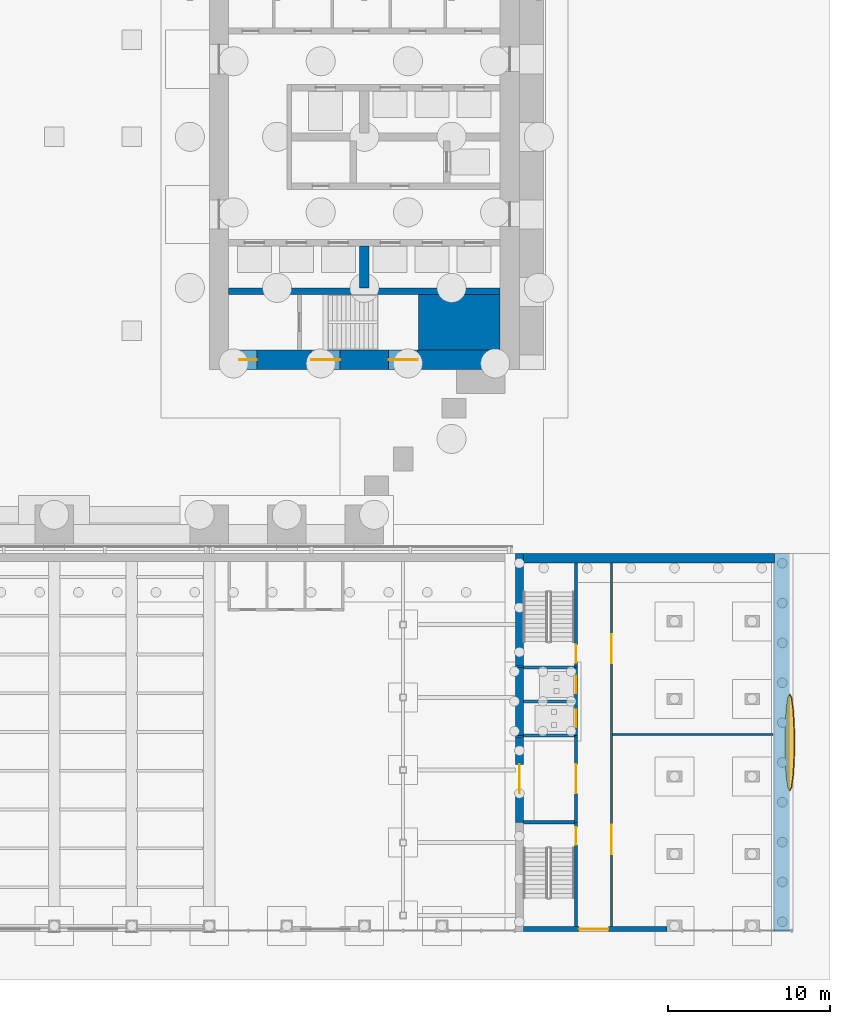
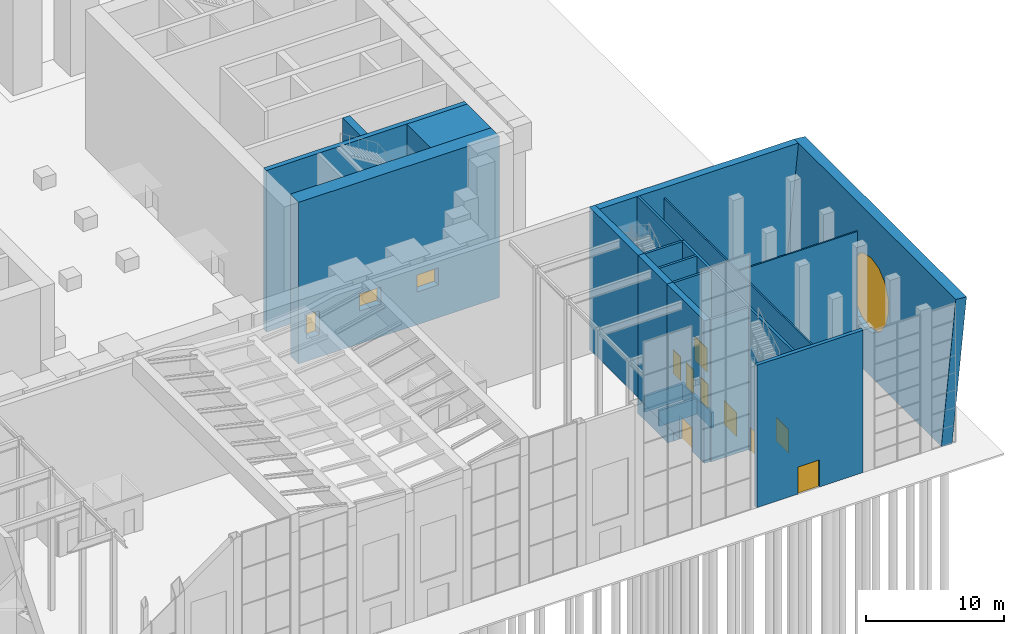
# One storey, part 47 of 58: 25 walls, 10 doors, 3 windows, 13 openings.
"""IFC4 building model written with IfcOpenShell, lengths in metres."""

from ifc_helpers import new_model, si_unit, direction, frame, frame_2d, origin, place, context, subcontext, project, spatial, polyline, rectangle, outline, extrude, material, layer, layer_set, type_object, element, fill, save


model = new_model("IFC4")

# Units and contexts
model_context = context("Model", 3, precision=1e-05, world=origin(), true_north=direction((0.0, 1.0)))
body_context = subcontext(model_context, "Body", "Model", "MODEL_VIEW")
ifc_project = project(units=[si_unit("LENGTHUNIT", "METRE"), si_unit("AREAUNIT", "SQUARE_METRE"), si_unit("VOLUMEUNIT", "CUBIC_METRE"), si_unit("PLANEANGLEUNIT", "RADIAN"), si_unit("MASSUNIT", "GRAM", prefix="KILO")], contexts=[model_context])

# Site, building, storey
site_placement = place(None, origin())
site = spatial("IfcSite", under=ifc_project, at=site_placement, CompositionType="ELEMENT")
building_placement = place(site_placement, origin())
building = spatial("IfcBuilding", under=site, at=building_placement, Name="Baori Bourse Tower", CompositionType="ELEMENT")
storey_placement = place(building_placement, origin())
storey = spatial("IfcBuildingStorey", under=building, at=storey_placement, Name="L00", CompositionType="ELEMENT", Elevation=0.0)

# Wall
ifc_material_1 = material(Name="Concrete f'c 70 MPa", Category="concrete")
wall_type_1 = type_object("IfcWallType", Name="Core corner block f'c 70", PredefinedType="SHEAR", material=ifc_material_1)
wall_1_placement = place(storey_placement, frame((51.35009765625, 12.52490234375, -2.0), z_axis=(0.0, 0.0, 1.0), x_axis=(1.0, 0.0, 0.0)))
element("IfcWall", 1, at=wall_1_placement, inside=storey, type_object=wall_type_1, Name="Core wall E04", PredefinedType="SHEAR", context=body_context, shape_type="SweptSolid", body=[
    extrude(rectangle(XDim=5.0498046875, YDim=3.449951171875, at=frame_2d((2.52490234375, 0.0))), origin(), (0.0, 0.0, 1.0), 14.300048828125),
])

# Wall, openings, door, windows
ifc_material_2 = material(Name="Concrete f'c 70 MPa", Category="concrete")
ifc_layer_1 = layer(ifc_material_2, 1.199951171875)
ifc_layer_set_1 = layer_set([ifc_layer_1], Name="Core wall 1200 f'c 70")
wall_type_2 = type_object("IfcWallType", Name="Core wall 1200 f'c 70", PredefinedType="SHEAR", material=ifc_layer_set_1)
wall_2_placement = place(storey_placement, frame((56.39990234375, 10.199951171875, -2.0), z_axis=(0.0, 0.0, 1.0), x_axis=(-1.0, 0.0, 0.0)))
wall_2 = element("IfcWall", 2, at=wall_2_placement, inside=storey, type_object=wall_type_2, Name="Core wall E02", PredefinedType="SHEAR", context=body_context, shape_type="SweptSolid", body=[
    extrude(rectangle(XDim=16.7998046875, YDim=1.199951171875, at=frame_2d((8.39990234375, 0.0))), origin(), (0.0, 0.0, 1.0), 14.300048828125),
])
opening_1_placement = place(wall_2_placement, frame((15.050048828125, 0.0, 2.0)))
opening_1 = element("IfcOpeningElement", 3, at=opening_1_placement, cuts=wall_2, Name="Opening L00-D202", PredefinedType="OPENING", context=body_context, shape_type="SweptSolid", body=[
    extrude(rectangle(XDim=1.10009765625, YDim=2.10009765625, at=frame_2d((0.550048828125, 1.050048828125))), frame((0.0, 0.60986328125, 0.0), z_axis=(0.0, -1.0, 0.0), x_axis=(1.0, 0.0, 0.0)), (0.0, 0.0, 1.0), 1.219970703125),
])
opening_2_placement = place(wall_2_placement, frame((5.10009765625, 0.0, 2.89990234375)))
opening_2 = element("IfcOpeningElement", 4, at=opening_2_placement, cuts=wall_2, Name="Opening L00-KW203", PredefinedType="OPENING", context=body_context, shape_type="SweptSolid", body=[
    extrude(rectangle(XDim=1.800048828125, YDim=1.5, at=frame_2d((0.89990234375, 0.75))), frame((0.0, 0.60986328125, 0.0), z_axis=(0.0, -1.0, 0.0), x_axis=(1.0, 0.0, 0.0)), (0.0, 0.0, 1.0), 1.219970703125),
])
opening_3_placement = place(wall_2_placement, frame((9.89990234375, 0.0, 2.89990234375)))
opening_3 = element("IfcOpeningElement", 5, at=opening_3_placement, cuts=wall_2, Name="Opening L00-KW204", PredefinedType="OPENING", context=body_context, shape_type="SweptSolid", body=[
    extrude(rectangle(XDim=1.800048828125, YDim=1.5, at=frame_2d((0.89990234375, 0.75))), frame((0.0, 0.60986328125, 0.0), z_axis=(0.0, -1.0, 0.0), x_axis=(1.0, 0.0, 0.0)), (0.0, 0.0, 1.0), 1.219970703125),
])
ifc_material_3 = material(Name="Painted steel door", Category="steel")
door_type_1 = type_object("IfcDoorType", Name="Stair door 1100", OperationType="SINGLE_SWING_LEFT", PredefinedType="DOOR", material=ifc_material_3)
door_1_placement = place(opening_1_placement, origin())
door_1 = element("IfcDoor", 6, at=door_1_placement, inside=storey, type_object=door_type_1, Name="Stair vestibule door A E L00", OperationType="SINGLE_SWING_LEFT", OverallHeight=2.10009765625, OverallWidth=1.10009765625, PredefinedType="DOOR", context=body_context, shape_type="SweptSolid", body=[
    extrude(rectangle(XDim=1.10009765625, YDim=2.10009765625, at=frame_2d((0.550048828125, 1.050048828125))), frame((0.0, 0.02490234375, 0.0), z_axis=(0.0, -1.0, 0.0), x_axis=(1.0, 0.0, 0.0)), (0.0, 0.0, 1.0), 0.050048828125),
])
fill(opening_1, door_1)
ifc_material_4 = material(Name="Pale anodised aluminium", Category="aluminium")
window_type_1 = type_object("IfcWindowType", Name="Stair window 1800 x 1500", PartitioningType="SINGLE_PANEL", PredefinedType="WINDOW", material=ifc_material_4)
window_1_placement = place(opening_2_placement, origin())
window_1 = element("IfcWindow", 7, at=window_1_placement, inside=storey, type_object=window_type_1, Name="Stair window E L00 3", OverallHeight=1.5, OverallWidth=1.800048828125, PartitioningType="SINGLE_PANEL", PredefinedType="WINDOW", context=body_context, shape_type="SweptSolid", body=[
    extrude(rectangle(XDim=1.800048828125, YDim=1.5, at=frame_2d((0.89990234375, 0.75))), frame((0.0, 0.030029296875, 0.0), z_axis=(0.0, -1.0, 0.0), x_axis=(1.0, 0.0, 0.0)), (0.0, 0.0, 1.0), 0.06005859375),
])
fill(opening_2, window_1)
window_2_placement = place(opening_3_placement, origin())
window_2 = element("IfcWindow", 8, at=window_2_placement, inside=storey, type_object=window_type_1, Name="Stair window E L00 4", OverallHeight=1.5, OverallWidth=1.800048828125, PartitioningType="SINGLE_PANEL", PredefinedType="WINDOW", context=body_context, shape_type="SweptSolid", body=[
    extrude(rectangle(XDim=1.800048828125, YDim=1.5, at=frame_2d((0.89990234375, 0.75))), frame((0.0, 0.030029296875, 0.0), z_axis=(0.0, -1.0, 0.0), x_axis=(1.0, 0.0, 0.0)), (0.0, 0.0, 1.0), 0.06005859375),
])
fill(opening_3, window_2)

# Wall, opening, door
ifc_material_5 = material(Name="Concrete f'c 50 MPa", Category="concrete")
ifc_layer_2 = layer(ifc_material_5, 0.300048828125)
ifc_layer_set_2 = layer_set([ifc_layer_2], Name="Entrance wall 300")
wall_type_3 = type_object("IfcWallType", Name="Entrance wall 300", PredefinedType="SOLIDWALL", material=ifc_layer_set_2)
wall_3_placement = place(storey_placement, frame((66.75, -25.050048828125, 0.0), z_axis=(0.0, 0.0, 1.0), x_axis=(-1.0, 0.0, 0.0)))
wall_3 = element("IfcWall", 9, at=wall_3_placement, inside=storey, type_object=wall_type_3, Name="wing/L00/Esouthwall/001", PredefinedType="SOLIDWALL", context=body_context, shape_type="SweptSolid", body=[
    extrude(rectangle(XDim=8.89990234375, YDim=0.300048828125, at=frame_2d((4.449951171875, 0.0))), origin(), (0.0, 0.0, 1.0), 12.60009765625),
])
opening_4_placement = place(wall_3_placement, frame((3.64990234375, 0.0, 0.0)))
opening_4 = element("IfcOpeningElement", 10, at=opening_4_placement, cuts=wall_3, Name="Opening WGE-L00-07", PredefinedType="OPENING", context=body_context, shape_type="SweptSolid", body=[
    extrude(rectangle(XDim=1.800048828125, YDim=2.39990234375, at=frame_2d((0.89990234375, 1.199951171875))), frame((0.0, 0.159912109375, 0.0), z_axis=(0.0, -1.0, 0.0), x_axis=(1.0, 0.0, 0.0)), (0.0, 0.0, 1.0), 0.320068359375),
])
ifc_material_6 = material(Name="Aluminium and glass door", Category="aluminium")
door_type_2 = type_object("IfcDoorType", Name="Entrance door 1800x2400", OperationType="DOUBLE_DOOR_SINGLE_SWING", PredefinedType="DOOR", material=ifc_material_6)
door_2_placement = place(opening_4_placement, origin())
door_2 = element("IfcDoor", 11, at=door_2_placement, inside=storey, type_object=door_type_2, Name="WGE-L00-07", OperationType="DOUBLE_DOOR_SINGLE_SWING", OverallHeight=2.39990234375, OverallWidth=1.800048828125, PredefinedType="DOOR", context=body_context, shape_type="SweptSolid", body=[
    extrude(rectangle(XDim=1.800048828125, YDim=2.39990234375, at=frame_2d((0.89990234375, 1.199951171875))), frame((0.0, 0.02490234375, 0.0), z_axis=(0.0, -1.0, 0.0), x_axis=(1.0, 0.0, 0.0)), (0.0, 0.0, 1.0), 0.050048828125),
])
fill(opening_4, door_2)

# Walls
ifc_material_7 = material(Name="Concrete f'c 50 MPa", Category="concrete")
ifc_layer_3 = layer(ifc_material_7, 0.5)
ifc_layer_set_3 = layer_set([ifc_layer_3], Name="Hall end wall 500")
wall_type_4 = type_object("IfcWallType", Name="Hall end wall 500", PredefinedType="SOLIDWALL", material=ifc_layer_set_3)
wall_4_placement = place(storey_placement, frame((57.60009765625, -1.800048828125, 0.0), z_axis=(0.0, 0.0, 1.0), x_axis=(0.0, -1.0, 0.0)))
element("IfcWall", 12, at=wall_4_placement, inside=storey, type_object=wall_type_4, Name="wing/L00/Ehallwall/001", PredefinedType="SOLIDWALL", context=body_context, shape_type="SweptSolid", body=[
    extrude(rectangle(XDim=7.06005859375, YDim=0.5, at=frame_2d((3.530029296875, 0.0))), origin(), (0.0, 0.0, 1.0), 12.60009765625),
])
wall_5_placement = place(storey_placement, frame((57.60009765625, -8.860107421875, 0.0), z_axis=(0.0, 0.0, 1.0), x_axis=(0.0, -1.0, 0.0)))
element("IfcWall", 13, at=wall_5_placement, inside=storey, type_object=wall_type_4, Name="wing/L00/Ehallwall/002", PredefinedType="SOLIDWALL", context=body_context, shape_type="SweptSolid", body=[
    extrude(rectangle(XDim=4.199951171875, YDim=0.5, at=frame_2d((2.10009765625, 0.0))), origin(), (0.0, 0.0, 1.0), 12.60009765625),
])

# Wall, opening, door
wall_6_placement = place(storey_placement, frame((57.60009765625, -13.06005859375, 0.0), z_axis=(0.0, 0.0, 1.0), x_axis=(0.0, -1.0, 0.0)))
wall_6 = element("IfcWall", 14, at=wall_6_placement, inside=storey, type_object=wall_type_4, Name="wing/L00/Ehallwall/003", PredefinedType="SOLIDWALL", context=body_context, shape_type="SweptSolid", body=[
    extrude(rectangle(XDim=5.3798828125, YDim=0.5, at=frame_2d((2.68994140625, 0.0))), origin(), (0.0, 0.0, 1.0), 12.60009765625),
])
opening_5_placement = place(wall_6_placement, frame((1.7900390625, 0.0, 0.0)))
opening_5 = element("IfcOpeningElement", 15, at=opening_5_placement, cuts=wall_6, Name="Opening WGE-L00-06", PredefinedType="OPENING", context=body_context, shape_type="SweptSolid", body=[
    extrude(rectangle(XDim=1.800048828125, YDim=2.10009765625, at=frame_2d((0.89990234375, 1.050048828125))), frame((0.0, 0.260009765625, 0.0), z_axis=(0.0, -1.0, 0.0), x_axis=(1.0, 0.0, 0.0)), (0.0, 0.0, 1.0), 0.52001953125),
])
ifc_material_8 = material(Name="Timber door", Category="wood")
door_type_3 = type_object("IfcDoorType", Name="Wing double door 1800x2100", OperationType="DOUBLE_DOOR_SINGLE_SWING", PredefinedType="DOOR", material=ifc_material_8)
door_3_placement = place(opening_5_placement, origin())
door_3 = element("IfcDoor", 16, at=door_3_placement, inside=storey, type_object=door_type_3, Name="WGE-L00-06", OperationType="DOUBLE_DOOR_SINGLE_SWING", OverallHeight=2.10009765625, OverallWidth=1.800048828125, PredefinedType="DOOR", context=body_context, shape_type="SweptSolid", body=[
    extrude(rectangle(XDim=1.800048828125, YDim=2.10009765625, at=frame_2d((0.89990234375, 1.050048828125))), frame((0.0, 0.02490234375, 0.0), z_axis=(0.0, -1.0, 0.0), x_axis=(1.0, 0.0, 0.0)), (0.0, 0.0, 1.0), 0.050048828125),
])
fill(opening_5, door_3)

# Wall
wall_7_placement = place(storey_placement, frame((57.60009765625, -8.760009765625, -1.39990234375), z_axis=(0.0, 0.0, 1.0), x_axis=(0.0, -1.0, 0.0)))
element("IfcWall", 17, at=wall_7_placement, inside=storey, type_object=wall_type_4, Name="wing/L00/Epitwall/005", PredefinedType="SOLIDWALL", context=body_context, shape_type="SweptSolid", body=[
    extrude(rectangle(XDim=4.39990234375, YDim=0.5, at=frame_2d((2.199951171875, 0.0))), origin(), (0.0, 0.0, 1.0), 1.39990234375),
])

# Wall, opening, window
ifc_material_9 = material(Name="Concrete f'c 50 MPa", Category="concrete")
ifc_layer_4 = layer(ifc_material_9, 0.89990234375)
ifc_layer_set_4 = layer_set([ifc_layer_4], Name="Leaning end wall 900")
wall_type_5 = type_object("IfcWallType", Name="Leaning end wall 900", PredefinedType="SOLIDWALL", material=ifc_layer_set_4)
wall_8_placement = place(storey_placement, frame((73.289306640625, -25.199951171875, 0.0), z_axis=(-0.995397077463, 0.0, 0.09583662232), x_axis=(0.0, 1.0, 0.0)))
wall_8 = element("IfcWall", 18, at=wall_8_placement, inside=storey, type_object=wall_type_5, Name="wing/L00/Eleanwall/001", PredefinedType="SOLIDWALL", context=body_context, shape_type="SweptSolid", body=[
    extrude(outline(polyline([(0.0, 0.0), (23.39990234375, 0.0), (23.39990234375, -12.658363121138718), (0.0, -12.658363121138718), (0.0, 0.0)])), origin(), (0.0, 0.0, -1.0), 0.89990234375),
])
opening_6_placement = place(wall_8_placement, frame((0.0, 0.0, 0.010009765625)))
opening_6 = element("IfcOpeningElement", 19, at=opening_6_placement, cuts=wall_8, Name="Opening WGRW-E", PredefinedType="OPENING", context=body_context, shape_type="SweptSolid", body=[
    extrude(outline(polyline([(14.699951171875, -6.329193259375795), (14.4716796875, -7.477284128430793), (13.8212890625, -8.450512935340033), (12.847900390625, -9.100740432329506), (11.699951171875, -9.329071520831635), (10.552001953125, -9.100740432329506), (9.57861328125, -8.450512935340033), (8.92822265625, -7.477284128430793), (8.699951171875, -6.329193259375795), (8.92822265625, -5.181078992707926), (9.57861328125, -4.207850185798686), (10.552001953125, -3.5574030695574694), (11.699951171875, -3.329048583442468), (12.847900390625, -3.5574030695574694), (13.8212890625, -4.207850185798686), (14.4716796875, -5.181078992707926), (14.699951171875, -6.329193259375795)])), origin(), (0.0, 0.0, -1.0), 0.919921875),
])
ifc_material_10 = material(Name="Clear glass", Category="glass")
window_type_2 = type_object("IfcWindowType", Name="Round end window 6000", PartitioningType="SINGLE_PANEL", PredefinedType="WINDOW", material=ifc_material_10)
window_3_placement = place(opening_6_placement, frame((0.0, 0.0, -0.429931640625)))
window_3 = element("IfcWindow", 20, at=window_3_placement, inside=storey, type_object=window_type_2, Name="WGRW-E", OverallHeight=6.0, OverallWidth=6.0, PartitioningType="SINGLE_PANEL", PredefinedType="WINDOW", context=body_context, shape_type="SweptSolid", body=[
    extrude(outline(polyline([(14.699951171875, -6.329193259375795), (14.4716796875, -7.477284128430793), (13.8212890625, -8.450512935340033), (12.847900390625, -9.100740432329506), (11.699951171875, -9.329071520831635), (10.552001953125, -9.100740432329506), (9.57861328125, -8.450512935340033), (8.92822265625, -7.477284128430793), (8.699951171875, -6.329193259375795), (8.92822265625, -5.181078992707926), (9.57861328125, -4.207850185798686), (10.552001953125, -3.5574030695574694), (11.699951171875, -3.329048583442468), (12.847900390625, -3.5574030695574694), (13.8212890625, -4.207850185798686), (14.4716796875, -5.181078992707926), (14.699951171875, -6.329193259375795)])), origin(), (0.0, 0.0, -1.0), 0.06005859375),
])
fill(opening_6, window_3)

# Wall, opening, door
ifc_material_11 = material(Name="Concrete f'c 50 MPa", Category="concrete")
ifc_layer_5 = layer(ifc_material_11, 0.199951171875)
ifc_layer_set_5 = layer_set([ifc_layer_5], Name="Shaft wall 200")
wall_type_6 = type_object("IfcWallType", Name="Shaft wall 200", PredefinedType="SOLIDWALL", material=ifc_layer_set_5)
wall_9_placement = place(storey_placement, frame((61.10009765625, -2.39990234375, 0.0), z_axis=(0.0, 0.0, 1.0), x_axis=(0.0, -1.0, 0.0)))
wall_9 = element("IfcWall", 21, at=wall_9_placement, inside=storey, type_object=wall_type_6, Name="wing/L00/EcorrwallE/001", PredefinedType="SOLIDWALL", context=body_context, shape_type="SweptSolid", body=[
    extrude(rectangle(XDim=6.460205078125, YDim=0.199951171875, at=frame_2d((3.22998046875, 0.0))), origin(), (0.0, 0.0, 1.0), 12.60009765625),
])
opening_7_placement = place(wall_9_placement, frame((5.050048828125, 0.0, 0.0)))
opening_7 = element("IfcOpeningElement", 22, at=opening_7_placement, cuts=wall_9, Name="Opening WGE-L00-01", PredefinedType="OPENING", context=body_context, shape_type="SweptSolid", body=[
    extrude(rectangle(XDim=1.10009765625, YDim=2.10009765625, at=frame_2d((0.550048828125, 1.050048828125))), frame((0.0, 0.10986328125, 0.0), z_axis=(0.0, -1.0, 0.0), x_axis=(1.0, 0.0, 0.0)), (0.0, 0.0, 1.0), 0.219970703125),
])
ifc_material_12 = material(Name="Steel fire door", Category="steel")
door_type_4 = type_object("IfcDoorType", Name="Wing stair door 1100", OperationType="SINGLE_SWING_LEFT", PredefinedType="DOOR", material=ifc_material_12)
door_4_placement = place(opening_7_placement, origin())
door_4 = element("IfcDoor", 23, at=door_4_placement, inside=storey, type_object=door_type_4, Name="WGE-L00-01", OperationType="SINGLE_SWING_LEFT", OverallHeight=2.10009765625, OverallWidth=1.10009765625, PredefinedType="DOOR", context=body_context, shape_type="SweptSolid", body=[
    extrude(rectangle(XDim=1.10009765625, YDim=2.10009765625, at=frame_2d((0.550048828125, 1.050048828125))), frame((0.0, 0.02490234375, 0.0), z_axis=(0.0, -1.0, 0.0), x_axis=(1.0, 0.0, 0.0)), (0.0, 0.0, 1.0), 0.050048828125),
])
fill(opening_7, door_4)

# Wall, openings, doors
wall_10_placement = place(storey_placement, frame((61.10009765625, -8.860107421875, 0.0), z_axis=(0.0, 0.0, 1.0), x_axis=(0.0, -1.0, 0.0)))
wall_10 = element("IfcWall", 24, at=wall_10_placement, inside=storey, type_object=wall_type_6, Name="wing/L00/EcorrwallE/002", PredefinedType="SOLIDWALL", context=body_context, shape_type="SweptSolid", body=[
    extrude(rectangle(XDim=4.199951171875, YDim=0.199951171875, at=frame_2d((2.10009765625, 0.0))), origin(), (0.0, 0.0, 1.0), 12.60009765625),
])
opening_8_placement = place(wall_10_placement, frame((0.5, 0.0, 0.0)))
opening_8 = element("IfcOpeningElement", 25, at=opening_8_placement, cuts=wall_10, Name="Opening LD-E-L00-P", PredefinedType="OPENING", context=body_context, shape_type="SweptSolid", body=[
    extrude(rectangle(XDim=1.10009765625, YDim=2.10009765625, at=frame_2d((0.550048828125, 1.050048828125))), frame((0.0, 0.10986328125, 0.0), z_axis=(0.0, -1.0, 0.0), x_axis=(1.0, 0.0, 0.0)), (0.0, 0.0, 1.0), 0.219970703125),
])
opening_9_placement = place(wall_10_placement, frame((2.60009765625, 0.0, 0.0)))
opening_9 = element("IfcOpeningElement", 26, at=opening_9_placement, cuts=wall_10, Name="Opening LD-E-L00-S", PredefinedType="OPENING", context=body_context, shape_type="SweptSolid", body=[
    extrude(rectangle(XDim=1.10009765625, YDim=2.10009765625, at=frame_2d((0.550048828125, 1.050048828125))), frame((0.0, 0.10986328125, 0.0), z_axis=(0.0, -1.0, 0.0), x_axis=(1.0, 0.0, 0.0)), (0.0, 0.0, 1.0), 0.219970703125),
])
ifc_material_13 = material(Name="Stainless steel door", Category="steel")
door_type_5 = type_object("IfcDoorType", Name="Lift landing door 1100", OperationType="SLIDING_TO_LEFT", PredefinedType="DOOR", material=ifc_material_13)
door_5_placement = place(opening_8_placement, origin())
door_5 = element("IfcDoor", 27, at=door_5_placement, inside=storey, type_object=door_type_5, Name="LD-E-L00-P", OperationType="SLIDING_TO_LEFT", OverallHeight=2.10009765625, OverallWidth=1.10009765625, PredefinedType="DOOR", context=body_context, shape_type="SweptSolid", body=[
    extrude(rectangle(XDim=1.10009765625, YDim=2.10009765625, at=frame_2d((0.550048828125, 1.050048828125))), frame((0.0, 0.02490234375, 0.0), z_axis=(0.0, -1.0, 0.0), x_axis=(1.0, 0.0, 0.0)), (0.0, 0.0, 1.0), 0.050048828125),
])
fill(opening_8, door_5)
door_6_placement = place(opening_9_placement, origin())
door_6 = element("IfcDoor", 28, at=door_6_placement, inside=storey, type_object=door_type_5, Name="LD-E-L00-S", OperationType="SLIDING_TO_LEFT", OverallHeight=2.10009765625, OverallWidth=1.10009765625, PredefinedType="DOOR", context=body_context, shape_type="SweptSolid", body=[
    extrude(rectangle(XDim=1.10009765625, YDim=2.10009765625, at=frame_2d((0.550048828125, 1.050048828125))), frame((0.0, 0.02490234375, 0.0), z_axis=(0.0, -1.0, 0.0), x_axis=(1.0, 0.0, 0.0)), (0.0, 0.0, 1.0), 0.050048828125),
])
fill(opening_9, door_6)

# Wall, opening, door
wall_11_placement = place(storey_placement, frame((61.10009765625, -13.06005859375, 0.0), z_axis=(0.0, 0.0, 1.0), x_axis=(0.0, -1.0, 0.0)))
wall_11 = element("IfcWall", 29, at=wall_11_placement, inside=storey, type_object=wall_type_6, Name="wing/L00/EcorrwallE/003", PredefinedType="SOLIDWALL", context=body_context, shape_type="SweptSolid", body=[
    extrude(rectangle(XDim=5.3798828125, YDim=0.199951171875, at=frame_2d((2.68994140625, 0.0))), origin(), (0.0, 0.0, 1.0), 12.60009765625),
])
opening_10_placement = place(wall_11_placement, frame((1.7900390625, 0.0, 0.0)))
opening_10 = element("IfcOpeningElement", 30, at=opening_10_placement, cuts=wall_11, Name="Opening WGE-L00-05", PredefinedType="OPENING", context=body_context, shape_type="SweptSolid", body=[
    extrude(rectangle(XDim=1.800048828125, YDim=2.10009765625, at=frame_2d((0.89990234375, 1.050048828125))), frame((0.0, 0.10986328125, 0.0), z_axis=(0.0, -1.0, 0.0), x_axis=(1.0, 0.0, 0.0)), (0.0, 0.0, 1.0), 0.219970703125),
])
door_7_placement = place(opening_10_placement, origin())
door_7 = element("IfcDoor", 31, at=door_7_placement, inside=storey, type_object=door_type_3, Name="WGE-L00-05", OperationType="DOUBLE_DOOR_SINGLE_SWING", OverallHeight=2.10009765625, OverallWidth=1.800048828125, PredefinedType="DOOR", context=body_context, shape_type="SweptSolid", body=[
    extrude(rectangle(XDim=1.800048828125, YDim=2.10009765625, at=frame_2d((0.89990234375, 1.050048828125))), frame((0.0, 0.02490234375, 0.0), z_axis=(0.0, -1.0, 0.0), x_axis=(1.0, 0.0, 0.0)), (0.0, 0.0, 1.0), 0.050048828125),
])
fill(opening_10, door_7)

wall_12_placement = place(storey_placement, frame((61.10009765625, -18.43994140625, 0.0), z_axis=(0.0, 0.0, 1.0), x_axis=(0.0, -1.0, 0.0)))
wall_12 = element("IfcWall", 32, at=wall_12_placement, inside=storey, type_object=wall_type_6, Name="wing/L00/EcorrwallE/004", PredefinedType="SOLIDWALL", context=body_context, shape_type="SweptSolid", body=[
    extrude(rectangle(XDim=6.4599609375, YDim=0.199951171875, at=frame_2d((3.22998046875, 0.0))), origin(), (0.0, 0.0, 1.0), 12.60009765625),
])
opening_11_placement = place(wall_12_placement, frame((0.300048828125, 0.0, 0.0)))
opening_11 = element("IfcOpeningElement", 33, at=opening_11_placement, cuts=wall_12, Name="Opening WGE-L00-02", PredefinedType="OPENING", context=body_context, shape_type="SweptSolid", body=[
    extrude(rectangle(XDim=1.10009765625, YDim=2.10009765625, at=frame_2d((0.550048828125, 1.050048828125))), frame((0.0, 0.10986328125, 0.0), z_axis=(0.0, -1.0, 0.0), x_axis=(1.0, 0.0, 0.0)), (0.0, 0.0, 1.0), 0.219970703125),
])
door_8_placement = place(opening_11_placement, origin())
door_8 = element("IfcDoor", 34, at=door_8_placement, inside=storey, type_object=door_type_4, Name="WGE-L00-02", OperationType="SINGLE_SWING_LEFT", OverallHeight=2.10009765625, OverallWidth=1.10009765625, PredefinedType="DOOR", context=body_context, shape_type="SweptSolid", body=[
    extrude(rectangle(XDim=1.10009765625, YDim=2.10009765625, at=frame_2d((0.550048828125, 1.050048828125))), frame((0.0, 0.02490234375, 0.0), z_axis=(0.0, -1.0, 0.0), x_axis=(1.0, 0.0, 0.0)), (0.0, 0.0, 1.0), 0.050048828125),
])
fill(opening_11, door_8)

# Walls
for number, where, z_axis, x_axis, name in (
    (35, (61.0, -8.860107421875, 0.0), (0.0, 0.0, 1.0), (-1.0, 0.0, 0.0), "wing/L00/Eshaftwall/001"),
    (36, (61.0, -10.9599609375, 0.0), (0.0, 0.0, 1.0), (-1.0, 0.0, 0.0), "wing/L00/Eshaftwall/002"),
    (37, (61.0, -13.06005859375, 0.0), (0.0, 0.0, 1.0), (-1.0, 0.0, 0.0), "wing/L00/Eshaftwall/003"),
    (38, (61.0, -18.43994140625, 0.0), (0.0, 0.0, 1.0), (-1.0, 0.0, 0.0), "wing/L00/Eshaftwall/004"),
):
    element("IfcWall", number, at=place(storey_placement, frame(where, z_axis=z_axis, x_axis=x_axis)), inside=storey, type_object=wall_type_6, Name=name, PredefinedType="SOLIDWALL", context=body_context, shape_type="SweptSolid", body=[
        extrude(rectangle(XDim=3.14990234375, YDim=0.199951171875, at=frame_2d((1.574951171875, 0.0))), origin(), (0.0, 0.0, 1.0), 12.60009765625),
    ])
wall_13_placement = place(storey_placement, frame((61.10009765625, -8.760009765625, -1.39990234375), z_axis=(0.0, 0.0, 1.0), x_axis=(0.0, -1.0, 0.0)))
element("IfcWall", 39, at=wall_13_placement, inside=storey, type_object=wall_type_6, Name="wing/L00/Epitwall/001", PredefinedType="SOLIDWALL", context=body_context, shape_type="SweptSolid", body=[
    extrude(rectangle(XDim=4.39990234375, YDim=0.199951171875, at=frame_2d((2.199951171875, 0.0))), origin(), (0.0, 0.0, 1.0), 1.39990234375),
])
for number, where, z_axis, x_axis, name in (
    (40, (61.0, -8.860107421875, -1.39990234375), (0.0, 0.0, 1.0), (-1.0, 0.0, 0.0), "wing/L00/Epitwall/002"),
    (41, (61.0, -10.9599609375, -1.39990234375), (0.0, 0.0, 1.0), (-1.0, 0.0, 0.0), "wing/L00/Epitwall/003"),
    (42, (61.0, -13.06005859375, -1.39990234375), (0.0, 0.0, 1.0), (-1.0, 0.0, 0.0), "wing/L00/Epitwall/004"),
):
    element("IfcWall", number, at=place(storey_placement, frame(where, z_axis=z_axis, x_axis=x_axis)), inside=storey, type_object=wall_type_6, Name=name, PredefinedType="SOLIDWALL", context=body_context, shape_type="SweptSolid", body=[
        extrude(rectangle(XDim=3.14990234375, YDim=0.199951171875, at=frame_2d((1.574951171875, 0.0))), origin(), (0.0, 0.0, 1.0), 1.39990234375),
    ])
ifc_material_14 = material(Name="Concrete f'c 70 MPa", Category="concrete")
ifc_layer_6 = layer(ifc_material_14, 0.39990234375)
ifc_layer_set_6 = layer_set([ifc_layer_6], Name="Shaft wall 400 f'c 70")
wall_type_7 = type_object("IfcWallType", Name="Shaft wall 400 f'c 70", PredefinedType="SHEAR", material=ifc_layer_set_6)
wall_14_placement = place(storey_placement, frame((39.60009765625, 14.449951171875, -2.0), z_axis=(0.0, 0.0, 1.0), x_axis=(1.0, 0.0, 0.0)))
element("IfcWall", 43, at=wall_14_placement, inside=storey, type_object=wall_type_7, Name="Core wall E06", PredefinedType="SHEAR", context=body_context, shape_type="SweptSolid", body=[
    extrude(rectangle(XDim=16.7998046875, YDim=0.39990234375, at=frame_2d((8.39990234375, 0.0))), origin(), (0.0, 0.0, 1.0), 14.300048828125),
])
ifc_material_15 = material(Name="Concrete f'c 70 MPa", Category="concrete")
ifc_layer_7 = layer(ifc_material_15, 0.60009765625)
ifc_layer_set_7 = layer_set([ifc_layer_7], Name="Shaft wall 600 f'c 70")
wall_type_8 = type_object("IfcWallType", Name="Shaft wall 600 f'c 70", PredefinedType="SHEAR", material=ifc_layer_set_7)
wall_15_placement = place(storey_placement, frame((48.0, 14.64990234375, -2.0), z_axis=(0.0, 0.0, 1.0), x_axis=(0.0, 1.0, 0.0)))
element("IfcWall", 44, at=wall_15_placement, inside=storey, type_object=wall_type_8, Name="Core wall E07", PredefinedType="SHEAR", context=body_context, shape_type="SweptSolid", body=[
    extrude(rectangle(XDim=2.60009765625, YDim=0.60009765625, at=frame_2d((1.300048828125, 0.0))), origin(), (0.0, 0.0, 1.0), 14.300048828125),
])
ifc_material_16 = material(Name="Concrete f'c 50 MPa", Category="concrete")
ifc_layer_8 = layer(ifc_material_16, 0.60009765625)
ifc_layer_set_8 = layer_set([ifc_layer_8], Name="Wing north wall 600")
wall_type_9 = type_object("IfcWallType", Name="Wing north wall 600", PredefinedType="SOLIDWALL", material=ifc_layer_set_8)
wall_16_placement = place(storey_placement, frame((57.85009765625, -2.10009765625, 0.0), z_axis=(0.0, 0.0, 1.0), x_axis=(1.0, 0.0, 0.0)))
element("IfcWall", 45, at=wall_16_placement, inside=storey, type_object=wall_type_9, Name="wing/L00/Enorthwall/001", PredefinedType="SOLIDWALL", context=body_context, shape_type="SweptSolid", body=[
    extrude(outline(polyline([(0.0, 0.0), (15.439208984375, 0.0), (16.652587890625, 12.60009765625), (0.0, 12.60009765625), (0.0, 0.0)])), frame((0.0, 0.300048828125, 0.0), z_axis=(0.0, -1.0, 0.0), x_axis=(1.0, 0.0, 0.0)), (0.0, 0.0, 1.0), 0.60009765625),
])

# Wall, openings, doors
ifc_material_17 = material(Name="Gypsum board partition")
ifc_layer_9 = layer(ifc_material_17, 0.125)
ifc_layer_set_9 = layer_set([ifc_layer_9], Name="Wing partition 125")
wall_type_10 = type_object("IfcWallType", Name="Wing partition 125", PredefinedType="PARTITIONING", material=ifc_layer_set_9)
wall_17_placement = place(storey_placement, frame((63.300048828125, -25.10009765625, 0.0), z_axis=(0.0, 0.0, 1.0), x_axis=(0.0, 1.0, 0.0)))
wall_17 = element("IfcWall", 46, at=wall_17_placement, inside=storey, type_object=wall_type_10, Name="wing/L00/EcorrwallW/001", PredefinedType="PARTITIONING", context=body_context, shape_type="SweptSolid", body=[
    extrude(rectangle(XDim=22.7001953125, YDim=0.125, at=frame_2d((11.35009765625, 0.0))), origin(), (0.0, 0.0, 1.0), 11.679931640625),
])
opening_12_placement = place(wall_17_placement, frame((16.5, 0.0, 0.0)))
opening_12 = element("IfcOpeningElement", 47, at=opening_12_placement, cuts=wall_17, Name="Opening WGE-L00-03", PredefinedType="OPENING", context=body_context, shape_type="SweptSolid", body=[
    extrude(rectangle(XDim=1.800048828125, YDim=2.10009765625, at=frame_2d((0.89990234375, 1.050048828125))), frame((0.0, 0.072509765625, 0.0), z_axis=(0.0, -1.0, 0.0), x_axis=(1.0, 0.0, 0.0)), (0.0, 0.0, 1.0), 0.14501953125),
])
opening_13_placement = place(wall_17_placement, frame((4.699951171875, 0.0, 0.0)))
opening_13 = element("IfcOpeningElement", 48, at=opening_13_placement, cuts=wall_17, Name="Opening WGE-L00-04", PredefinedType="OPENING", context=body_context, shape_type="SweptSolid", body=[
    extrude(rectangle(XDim=1.800048828125, YDim=2.10009765625, at=frame_2d((0.89990234375, 1.050048828125))), frame((0.0, 0.072509765625, 0.0), z_axis=(0.0, -1.0, 0.0), x_axis=(1.0, 0.0, 0.0)), (0.0, 0.0, 1.0), 0.14501953125),
])
door_9_placement = place(opening_12_placement, origin())
door_9 = element("IfcDoor", 49, at=door_9_placement, inside=storey, type_object=door_type_3, Name="WGE-L00-03", OperationType="DOUBLE_DOOR_SINGLE_SWING", OverallHeight=2.10009765625, OverallWidth=1.800048828125, PredefinedType="DOOR", context=body_context, shape_type="SweptSolid", body=[
    extrude(rectangle(XDim=1.800048828125, YDim=2.10009765625, at=frame_2d((0.89990234375, 1.050048828125))), frame((0.0, 0.02490234375, 0.0), z_axis=(0.0, -1.0, 0.0), x_axis=(1.0, 0.0, 0.0)), (0.0, 0.0, 1.0), 0.050048828125),
])
fill(opening_12, door_9)
door_10_placement = place(opening_13_placement, origin())
door_10 = element("IfcDoor", 50, at=door_10_placement, inside=storey, type_object=door_type_3, Name="WGE-L00-04", OperationType="DOUBLE_DOOR_SINGLE_SWING", OverallHeight=2.10009765625, OverallWidth=1.800048828125, PredefinedType="DOOR", context=body_context, shape_type="SweptSolid", body=[
    extrude(rectangle(XDim=1.800048828125, YDim=2.10009765625, at=frame_2d((0.89990234375, 1.050048828125))), frame((0.0, 0.02490234375, 0.0), z_axis=(0.0, -1.0, 0.0), x_axis=(1.0, 0.0, 0.0)), (0.0, 0.0, 1.0), 0.050048828125),
])
fill(opening_13, door_10)

# Wall
wall_18_placement = place(storey_placement, frame((63.362548828125, -13.0, 0.0), z_axis=(0.0, 0.0, 1.0), x_axis=(1.0, 0.0, 0.0)))
element("IfcWall", 51, at=wall_18_placement, inside=storey, type_object=wall_type_10, Name="wing/L00/Emidwall/001", PredefinedType="PARTITIONING", context=body_context, shape_type="SweptSolid", body=[
    extrude(rectangle(XDim=9.9267578125, YDim=0.125, at=frame_2d((4.96337890625, 0.0))), origin(), (0.0, 0.0, 1.0), 11.679931640625),
])

save(model, "model.ifc")
